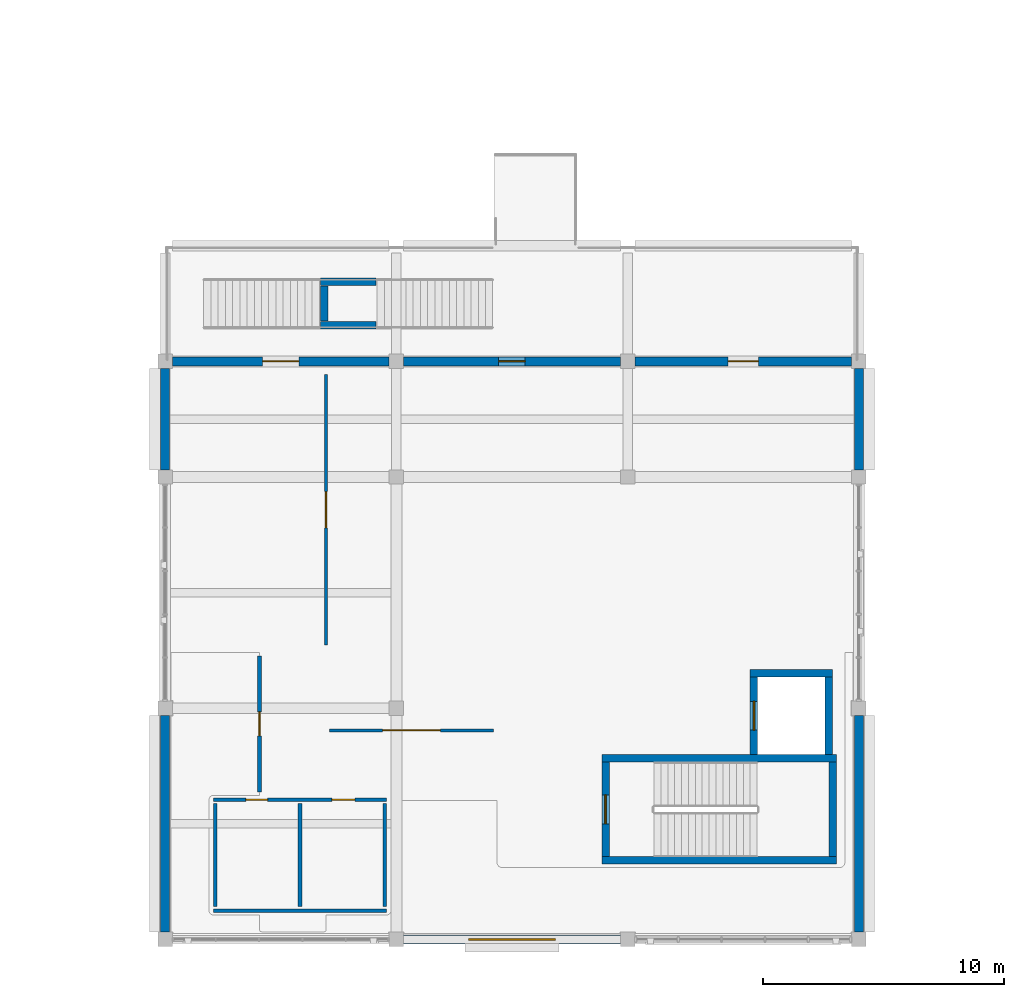
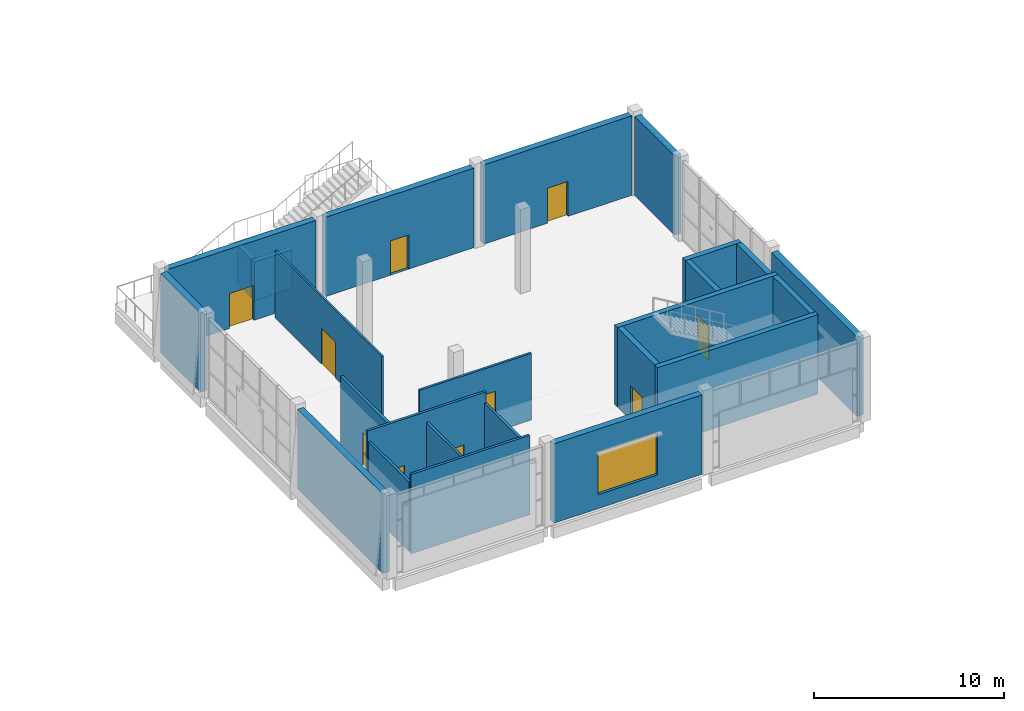
# One storey, part 40 of 57: 26 walls, 10 doors, 1 window, 11 openings.
"""IFC4 building model written with IfcOpenShell, lengths in metres."""

import ifcopenshell
import ifcopenshell.guid

model = None  # the IFC model being written
_history = None  # IfcOwnerHistory: only IFC2X3 demands one
_inside = {}  # id of a spatial element -> (the spatial element, [elements in it])
_under = {}  # id of a project, library or spatial element -> (it, [spatial elements below it])
_declared = {}  # id of a project -> (the project, [libraries it declares])
_typed = {}  # id of a type object -> (the type object, [elements of that type])
_made_of = {}  # id of a material, layer set ... -> (it, [elements and type objects made of it])


def new_model(schema):
    """Start an empty IFC model of exactly this schema.

    Asked for "IFC4X3", IfcOpenShell would pick the latest addendum, in which some entities
    have other attributes; the version numbers below select the first issue.
    IFC2X3 requires an IfcOwnerHistory on every rooted entity: one is made here for all.
    """
    global model, _history
    if schema == "IFC4X3":
        model = ifcopenshell.file(schema_version=(4, 3, 0, 0))
    else:
        model = ifcopenshell.file(schema=schema)
    _inside.clear()
    _under.clear()
    _declared.clear()
    _typed.clear()
    _made_of.clear()
    _history = None
    if model.schema == "IFC2X3":
        org = make("IfcOrganization", Name="unknown")
        user = make(
            "IfcPersonAndOrganization",
            ThePerson=make("IfcPerson", FamilyName="unknown"),
            TheOrganization=org,
        )
        app = make(
            "IfcApplication",
            ApplicationDeveloper=org,
            Version="unknown",
            ApplicationFullName="unknown",
            ApplicationIdentifier="unknown",
        )
        _history = make(
            "IfcOwnerHistory",
            OwningUser=user,
            OwningApplication=app,
            ChangeAction="ADDED",
            CreationDate=0,
        )
    return model


def make(cls, **values):
    """One entity of the class cls with the attributes given. An attribute that is None is left unset."""
    return model.create_entity(
        cls, **{name: value for name, value in values.items() if value is not None}
    )


def rooted(cls, **values):
    """An entity with a GlobalId (a new one), such as an element, a storey or a relation."""
    return make(cls, GlobalId=ifcopenshell.guid.new(), OwnerHistory=_history, **values)


def si_unit(unit_type, name, prefix=None):
    """IfcSIUnit, for example si_unit("LENGTHUNIT", "METRE", prefix="MILLI")."""
    return make("IfcSIUnit", UnitType=unit_type, Prefix=prefix, Name=name)


def assignment(units):
    """IfcUnitAssignment: the units of a project."""
    return None if units is None else make("IfcUnitAssignment", Units=units)


def point(xyz):
    """IfcCartesianPoint."""
    return None if xyz is None else make("IfcCartesianPoint", Coordinates=xyz)


def direction(xyz):
    """IfcDirection."""
    return None if xyz is None else make("IfcDirection", DirectionRatios=xyz)


def frame(location, z_axis=None, x_axis=None):
    """IfcAxis2Placement3D, a coordinate frame: its origin and axes. An axis left out is left unset."""
    return make(
        "IfcAxis2Placement3D",
        Location=point(location),
        Axis=direction(z_axis),
        RefDirection=direction(x_axis),
    )


def frame_2d(location, x_axis=None):
    """IfcAxis2Placement2D, a coordinate frame in the plane: its origin and x axis."""
    return make(
        "IfcAxis2Placement2D", Location=point(location), RefDirection=direction(x_axis)
    )


def origin():
    """The frame at (0, 0, 0) with its axes left unset."""
    return frame((0.0, 0.0, 0.0))


def place(relative_to, where):
    """IfcLocalPlacement: puts the frame where relative to a parent placement (None: the world)."""
    return make(
        "IfcLocalPlacement", PlacementRelTo=relative_to, RelativePlacement=where
    )


def context(
    kind, dimensions, precision=None, world=None, true_north=None, identifier=None
):
    """IfcGeometricRepresentationContext, for example the 3D "Model" context."""
    return make(
        "IfcGeometricRepresentationContext",
        ContextIdentifier=identifier,
        ContextType=kind,
        CoordinateSpaceDimension=dimensions,
        Precision=precision,
        WorldCoordinateSystem=world,
        TrueNorth=true_north,
    )


def subcontext(parent, identifier, kind, view, scale=None):
    """IfcGeometricRepresentationSubContext, for example "Body" below "Model"."""
    return make(
        "IfcGeometricRepresentationSubContext",
        ContextIdentifier=identifier,
        ContextType=kind,
        ParentContext=parent,
        TargetScale=scale,
        TargetView=view,
    )


def project(units=None, contexts=None):
    """IfcProject with its units and contexts."""
    return rooted(
        "IfcProject",
        Name="project",
        RepresentationContexts=contexts,
        UnitsInContext=assignment(units),
    )


def spatial(cls, under=None, at=None, **own):
    """A site, building, storey or space (cls), placed at a placement, below another one or the project."""
    s = rooted(cls, ObjectPlacement=at, **own)
    if under is not None:
        _under.setdefault(under.id(), (under, []))[1].append(s)
    return s


def profile(cls, at=None, kind="AREA", **sizes):
    """A parametric profile (cls). Its sizes go by their IFC names, for example OverallWidth=200.0."""
    return make(cls, ProfileType=kind, Position=at, **sizes)


def rectangle(**sizes):
    """IfcRectangleProfileDef."""
    return profile("IfcRectangleProfileDef", **sizes)


def extrude(swept, where, along, depth):
    """IfcExtrudedAreaSolid: the profile swept, set in the frame where, extruded along a direction by depth."""
    return make(
        "IfcExtrudedAreaSolid",
        SweptArea=swept,
        Position=where,
        ExtrudedDirection=direction(along),
        Depth=depth,
    )


def shape(context_of_items, identifier, shape_type, items):
    """IfcShapeRepresentation: the items that make up one representation, for example the "Body"."""
    return make(
        "IfcShapeRepresentation",
        ContextOfItems=context_of_items,
        RepresentationIdentifier=identifier,
        RepresentationType=shape_type,
        Items=items,
    )


def material(Name=None, Category=None):
    """IfcMaterial."""
    return make("IfcMaterial", Name=Name, Category=Category)


def layer(
    of_material, thickness, ventilated=None, Name=None, Category=None, Priority=None
):
    """IfcMaterialLayer: one layer of a wall or slab, of a material (None: an air gap)."""
    return make(
        "IfcMaterialLayer",
        Material=of_material,
        LayerThickness=thickness,
        IsVentilated=ventilated,
        Name=Name,
        Category=Category,
        Priority=Priority,
    )


def layer_set(layers, Name=None):
    """IfcMaterialLayerSet."""
    return make("IfcMaterialLayerSet", MaterialLayers=layers, LayerSetName=Name)


def made_of(thing, what):
    """Note that an element or type object is made of a material, layer set ...; save() writes the relation."""
    if what is not None:
        _made_of.setdefault(what.id(), (what, []))[1].append(thing)
    return thing


def type_object(cls, material=None, **own):
    """A type object (cls), such as IfcWallType, which elements share."""
    return made_of(rooted(cls, **own), material)


def element(
    cls,
    number,
    at=None,
    inside=None,
    cuts=None,
    type_object=None,
    material=None,
    context=None,
    identifier="Body",
    shape_type=None,
    held_by="IfcProductDefinitionShape",
    body=None,
    shapes=None,
    **own,
):
    """One element of the class cls, such as IfcWall. Its Tag is "e" and its number.

    at: its placement. inside: the storey or other place that contains it. cuts: it is an
    opening in that element (IfcRelVoidsElement). A single representation is given by context,
    identifier, shape_type and body (its items); several are given by shapes. held_by: the class
    of the entity that holds the representations. save() writes the other relations.
    """
    e = rooted(cls, Tag="e%d" % number, ObjectPlacement=at, **own)
    if body is not None:
        shapes = [shape(context, identifier, shape_type, body)]
    if shapes is not None:
        e.Representation = make(held_by, Representations=shapes)
    if inside is not None:
        _inside.setdefault(inside.id(), (inside, []))[1].append(e)
    if cuts is not None:
        rooted(
            "IfcRelVoidsElement", RelatingBuildingElement=cuts, RelatedOpeningElement=e
        )
    if type_object is not None:
        _typed.setdefault(type_object.id(), (type_object, []))[1].append(e)
    return made_of(e, material)


def fill(opening, filler):
    """IfcRelFillsElement: the door or window that sits in an opening."""
    return rooted(
        "IfcRelFillsElement",
        RelatingOpeningElement=opening,
        RelatedBuildingElement=filler,
    )


def aggregate(whole, parts):
    """IfcRelAggregates: a whole, such as a stair, and the parts it consists of."""
    return rooted("IfcRelAggregates", RelatingObject=whole, RelatedObjects=parts)


def save(model, path):
    """Write the relations noted so far, then the file.

    IfcRelAggregates (storeys below a building ...), IfcRelContainedInSpatialStructure (elements
    in a storey), IfcRelDefinesByType, IfcRelAssociatesMaterial and IfcRelDeclares: one each for
    every whole, place, type object, material and project.
    """
    for whole, parts in _under.values():
        aggregate(whole, parts)
    for where, things in _inside.values():
        rooted(
            "IfcRelContainedInSpatialStructure",
            RelatedElements=things,
            RelatingStructure=where,
        )
    for kind, things in _typed.values():
        rooted("IfcRelDefinesByType", RelatedObjects=things, RelatingType=kind)
    for what, things in _made_of.values():
        rooted("IfcRelAssociatesMaterial", RelatedObjects=things, RelatingMaterial=what)
    for by, libraries in _declared.values():
        rooted("IfcRelDeclares", RelatingContext=by, RelatedDefinitions=libraries)
    model.write(path)


model = new_model("IFC4")

# Units and contexts
model_context = context("Model", 3, precision=1e-05, world=origin(), true_north=direction((0.0, 1.0)))
body_context = subcontext(model_context, "Body", "Model", "MODEL_VIEW")
ifc_project = project(units=[si_unit("LENGTHUNIT", "METRE"), si_unit("AREAUNIT", "SQUARE_METRE"), si_unit("VOLUMEUNIT", "CUBIC_METRE"), si_unit("PLANEANGLEUNIT", "RADIAN"), si_unit("MASSUNIT", "GRAM", prefix="KILO")], contexts=[model_context])

# Site, building, storey
site_placement = place(None, origin())
site = spatial("IfcSite", under=ifc_project, at=site_placement, CompositionType="ELEMENT")
building_placement = place(site_placement, origin())
building = spatial("IfcBuilding", under=site, at=building_placement, Name="Shalvenor Court Art Gallery", CompositionType="ELEMENT")
storey_placement = place(building_placement, frame((0.0, 0.0, 16.800048828125)))
storey = spatial("IfcBuildingStorey", under=building, at=storey_placement, Name="L03", CompositionType="ELEMENT", Elevation=16.800048828125)

# Walls
ifc_material_1 = material(Name="Concrete C40/50", Category="concrete")
ifc_layer_1 = layer(ifc_material_1, 0.31005859375, Name="Concrete C40/50")
ifc_layer_set_1 = layer_set([ifc_layer_1], Name="Concrete C40/50")
wall_type_1 = type_object("IfcWallType", Name="CW-W2", PredefinedType="SHEAR", material=ifc_layer_set_1)
wall_1_placement = place(storey_placement, frame((114.1279296875, 7.51708984375, 0.0), z_axis=(0.0, 0.0, 1.0), x_axis=(1.0, 0.0, 0.0)))
element("IfcWall", 1, at=wall_1_placement, inside=storey, type_object=wall_type_1, Name="L03 C4 Stair Core Shear Wall N", PredefinedType="SHEAR", context=body_context, shape_type="SweptSolid", body=[
    extrude(rectangle(XDim=9.744140625, YDim=0.31005859375, at=frame_2d((4.8720703125, 0.0))), origin(), (0.0, 0.0, 1.0), 5.099853515625),
])
wall_2_placement = place(storey_placement, frame((123.717041015625, 7.362060546875, 0.0), z_axis=(0.0, 0.0, 1.0), x_axis=(0.0, -1.0, 0.0)))
element("IfcWall", 2, at=wall_2_placement, inside=storey, type_object=wall_type_1, Name="L03 C4 Stair Core Shear Wall E", PredefinedType="SHEAR", context=body_context, shape_type="SweptSolid", body=[
    extrude(rectangle(XDim=3.924072265625, YDim=0.31005859375, at=frame_2d((1.9619140625, 0.0))), origin(), (0.0, 0.0, 1.0), 5.099853515625),
])
wall_3_placement = place(storey_placement, frame((123.8720703125, 3.282958984375, 0.0), z_axis=(0.0, 0.0, 1.0), x_axis=(-1.0, 0.0, 0.0)))
element("IfcWall", 3, at=wall_3_placement, inside=storey, type_object=wall_type_1, Name="L03 C4 Stair Core Shear Wall S", PredefinedType="SHEAR", context=body_context, shape_type="SweptSolid", body=[
    extrude(rectangle(XDim=9.744140625, YDim=0.31005859375, at=frame_2d((4.8720703125, 0.0))), origin(), (0.0, 0.0, 1.0), 5.099853515625),
])

# Wall, opening, door
wall_4_placement = place(storey_placement, frame((114.282958984375, 3.43798828125, 0.0), z_axis=(0.0, 0.0, 1.0), x_axis=(0.0, 1.0, 0.0)))
wall_4 = element("IfcWall", 4, at=wall_4_placement, inside=storey, type_object=wall_type_1, Name="L03 C4 Stair Core Shear Wall W", PredefinedType="SHEAR", context=body_context, shape_type="SweptSolid", body=[
    extrude(rectangle(XDim=3.924072265625, YDim=0.31005859375, at=frame_2d((1.9619140625, 0.0))), origin(), (0.0, 0.0, 1.0), 5.099853515625),
])
opening_1_placement = place(wall_4_placement, frame((1.362060546875, 0.0, 0.0)))
opening_1 = element("IfcOpeningElement", 5, at=opening_1_placement, cuts=wall_4, Name="Opening FD-01", PredefinedType="OPENING", context=body_context, shape_type="SweptSolid", body=[
    extrude(rectangle(XDim=1.199951171875, YDim=2.199951171875, at=frame_2d((0.60009765625, 1.10009765625))), frame((0.0, 0.1650390625, 0.0), z_axis=(0.0, -1.0, 0.0), x_axis=(1.0, 0.0, 0.0)), (0.0, 0.0, 1.0), 0.330078125),
])
ifc_material_2 = material(Name="Fire-rated steel stair doorset", Category="steel")
door_type_1 = type_object("IfcDoorType", Name="FD-01", OperationType="NOTDEFINED", PredefinedType="DOOR", material=ifc_material_2)
door_1_placement = place(opening_1_placement, origin())
door_1 = element("IfcDoor", 6, at=door_1_placement, inside=storey, type_object=door_type_1, Name="DR-ST-L03-C4 L03 ST-04 Fire Stair Door", OperationType="SINGLE_SWING_RIGHT", OverallHeight=2.199951171875, OverallWidth=1.199951171875, PredefinedType="DOOR", context=body_context, shape_type="SweptSolid", body=[
    extrude(rectangle(XDim=1.199951171875, YDim=2.199951171875, at=frame_2d((0.60009765625, 1.10009765625))), frame((0.0, 0.02490234375, 0.0), z_axis=(0.0, -1.0, 0.0), x_axis=(1.0, 0.0, 0.0)), (0.0, 0.0, 1.0), 0.050048828125),
])
fill(opening_1, door_1)

# Walls
wall_5_placement = place(storey_placement, frame((120.2900390625, 11.054931640625, 0.0), z_axis=(0.0, 0.0, 1.0), x_axis=(1.0, 0.0, 0.0)))
element("IfcWall", 7, at=wall_5_placement, inside=storey, type_object=wall_type_1, Name="L03 PL-02 Lift Shaft Wall N", PredefinedType="SHEAR", context=body_context, shape_type="SweptSolid", body=[
    extrude(rectangle(XDim=3.419921875, YDim=0.31005859375, at=frame_2d((1.7099609375, 0.0))), origin(), (0.0, 0.0, 1.0), 5.099853515625),
])
wall_6_placement = place(storey_placement, frame((123.554931640625, 10.89990234375, 0.0), z_axis=(0.0, 0.0, 1.0), x_axis=(0.0, -1.0, 0.0)))
element("IfcWall", 8, at=wall_6_placement, inside=storey, type_object=wall_type_1, Name="L03 PL-02 Lift Shaft Wall E", PredefinedType="SHEAR", context=body_context, shape_type="SweptSolid", body=[
    extrude(rectangle(XDim=3.227783203125, YDim=0.31005859375, at=frame_2d((1.61376953125, 0.0))), origin(), (0.0, 0.0, 1.0), 5.099853515625),
])

# Wall, opening, door
wall_7_placement = place(storey_placement, frame((120.445068359375, 7.672119140625, 0.0), z_axis=(0.0, 0.0, 1.0), x_axis=(0.0, 1.0, 0.0)))
wall_7 = element("IfcWall", 9, at=wall_7_placement, inside=storey, type_object=wall_type_1, Name="L03 PL-02 Lift Shaft Wall W", PredefinedType="SHEAR", context=body_context, shape_type="SweptSolid", body=[
    extrude(rectangle(XDim=3.227783203125, YDim=0.31005859375, at=frame_2d((1.61376953125, 0.0))), origin(), (0.0, 0.0, 1.0), 5.099853515625),
])
opening_2_placement = place(wall_7_placement, frame((1.013916015625, 0.0, 0.0)))
opening_2 = element("IfcOpeningElement", 10, at=opening_2_placement, cuts=wall_7, Name="Opening LD-02", PredefinedType="OPENING", context=body_context, shape_type="SweptSolid", body=[
    extrude(rectangle(XDim=1.199951171875, YDim=2.199951171875, at=frame_2d((0.60009765625, 1.10009765625))), frame((0.0, 0.1650390625, 0.0), z_axis=(0.0, -1.0, 0.0), x_axis=(1.0, 0.0, 0.0)), (0.0, 0.0, 1.0), 0.330078125),
])
ifc_material_3 = material(Name="Brushed stainless passenger lift sliding landing door", Category="steel")
door_type_2 = type_object("IfcDoorType", Name="LD-02", OperationType="NOTDEFINED", PredefinedType="DOOR", material=ifc_material_3)
door_2_placement = place(opening_2_placement, origin())
door_2 = element("IfcDoor", 11, at=door_2_placement, inside=storey, type_object=door_type_2, Name="DR-LD-L03-PL-02 L03 PL-02 Lift Landing Sliding Door", OperationType="DOUBLE_DOOR_SLIDING", OverallHeight=2.199951171875, OverallWidth=1.199951171875, PredefinedType="DOOR", context=body_context, shape_type="SweptSolid", body=[
    extrude(rectangle(XDim=1.199951171875, YDim=2.199951171875, at=frame_2d((0.60009765625, 1.10009765625))), frame((0.0, 0.02490234375, 0.0), z_axis=(0.0, -1.0, 0.0), x_axis=(1.0, 0.0, 0.0)), (0.0, 0.0, 1.0), 0.050048828125),
])
fill(opening_2, door_2)

# Walls
ifc_material_4 = material(Name="Concrete C40/50", Category="concrete")
ifc_layer_2 = layer(ifc_material_4, 0.31005859375, Name="Concrete C40/50")
ifc_layer_set_2 = layer_set([ifc_layer_2], Name="Concrete C40/50")
wall_type_2 = type_object("IfcWallType", Name="CW-W4", PredefinedType="SHEAR", material=ifc_layer_set_2)
for number, where, z_axis, x_axis, name in (
    (12, (102.449951171875, 25.5, 0.0), (0.0, 0.0, 1.0), (1.0, 0.0, 0.0), "L03 ST-T5 Terrace Stair Support Pier S"),
    (13, (104.75, 27.300048828125, 0.0), (0.0, 0.0, 1.0), (-1.0, 0.0, 0.0), "L03 ST-T5 Terrace Stair Support Pier N"),
):
    element("IfcWall", number, at=place(storey_placement, frame(where, z_axis=z_axis, x_axis=x_axis)), inside=storey, type_object=wall_type_2, Name=name, PredefinedType="SHEAR", context=body_context, shape_type="SweptSolid", body=[
        extrude(rectangle(XDim=2.300048828125, YDim=0.31005859375, at=frame_2d((1.14990234375, 0.0))), origin(), (0.0, 0.0, 1.0), 2.48486328125),
    ])
wall_8_placement = place(storey_placement, frame((102.60009765625, 25.669921875, 0.0), z_axis=(0.0, 0.0, 1.0), x_axis=(0.0, 1.0, 0.0)))
element("IfcWall", 14, at=wall_8_placement, inside=storey, type_object=wall_type_2, Name="L03 ST-T5 Terrace Stair Support Pier W", PredefinedType="SHEAR", context=body_context, shape_type="SweptSolid", body=[
    extrude(rectangle(XDim=1.4599609375, YDim=0.31005859375, at=frame_2d((0.72998046875, 0.0))), origin(), (0.0, 0.0, 1.0), 2.48486328125),
])

# Wall, opening, door
ifc_material_5 = material(Name="Concrete C40/50", Category="concrete")
ifc_layer_3 = layer(ifc_material_5, 0.3798828125, Name="Concrete C40/50")
ifc_layer_set_3 = layer_set([ifc_layer_3], Name="Concrete C40/50")
wall_type_3 = type_object("IfcWallType", Name="EW-03", PredefinedType="SOLIDWALL", material=ifc_layer_set_3)
wall_9_placement = place(storey_placement, frame((96.300048828125, 24.0, 0.0), z_axis=(0.0, 0.0, 1.0), x_axis=(1.0, 0.0, 0.0)))
wall_9 = element("IfcWall", 15, at=wall_9_placement, inside=storey, type_object=wall_type_3, Name="L03 V3 Exterior Wall WL-L03-0207", PredefinedType="SOLIDWALL", context=body_context, shape_type="SweptSolid", body=[
    extrude(rectangle(XDim=9.0, YDim=0.3798828125, at=frame_2d((4.5, 0.0))), origin(), (0.0, 0.0, 1.0), 5.099853515625),
])
opening_3_placement = place(wall_9_placement, frame((3.75, 0.0, 0.0)))
opening_3 = element("IfcOpeningElement", 16, at=opening_3_placement, cuts=wall_9, Name="Opening TD-02", PredefinedType="OPENING", context=body_context, shape_type="SweptSolid", body=[
    extrude(rectangle(XDim=1.5, YDim=2.25, at=frame_2d((0.75, 1.125))), frame((0.0, 0.199951171875, 0.0), z_axis=(0.0, -1.0, 0.0), x_axis=(1.0, 0.0, 0.0)), (0.0, 0.0, 1.0), 0.39990234375),
])
ifc_material_6 = material(Name="Anodised aluminium glazed terrace door", Category="aluminium")
door_type_3 = type_object("IfcDoorType", Name="TD-02", OperationType="NOTDEFINED", PredefinedType="DOOR", material=ifc_material_6)
door_3_placement = place(opening_3_placement, origin())
door_3 = element("IfcDoor", 17, at=door_3_placement, inside=storey, type_object=door_type_3, Name="DR-TR-038 L03 Gallery Terrace Door", OperationType="DOUBLE_DOOR_SINGLE_SWING", OverallHeight=2.25, OverallWidth=1.5, PredefinedType="DOOR", context=body_context, shape_type="SweptSolid", body=[
    extrude(rectangle(XDim=1.5, YDim=2.25, at=frame_2d((0.75, 1.125))), frame((0.0, 0.02490234375, 0.0), z_axis=(0.0, -1.0, 0.0), x_axis=(1.0, 0.0, 0.0)), (0.0, 0.0, 1.0), 0.050048828125),
])
fill(opening_3, door_3)

wall_10_placement = place(storey_placement, frame((105.89990234375, 24.0, 0.0), z_axis=(0.0, 0.0, 1.0), x_axis=(1.0, 0.0, 0.0)))
wall_10 = element("IfcWall", 18, at=wall_10_placement, inside=storey, type_object=wall_type_3, Name="L03 V3 Exterior Wall WL-L03-0208", PredefinedType="SOLIDWALL", context=body_context, shape_type="SweptSolid", body=[
    extrude(rectangle(XDim=9.0, YDim=0.3798828125, at=frame_2d((4.5, 0.0))), origin(), (0.0, 0.0, 1.0), 5.099853515625),
])
opening_4_placement = place(wall_10_placement, frame((3.949951171875, 0.0, 0.0)))
opening_4 = element("IfcOpeningElement", 19, at=opening_4_placement, cuts=wall_10, Name="Opening TD-03", PredefinedType="OPENING", context=body_context, shape_type="SweptSolid", body=[
    extrude(rectangle(XDim=1.10009765625, YDim=2.199951171875, at=frame_2d((0.550048828125, 1.10009765625))), frame((0.0, 0.199951171875, 0.0), z_axis=(0.0, -1.0, 0.0), x_axis=(1.0, 0.0, 0.0)), (0.0, 0.0, 1.0), 0.39990234375),
])
ifc_material_7 = material(Name="Anodised aluminium glazed terrace door", Category="aluminium")
door_type_4 = type_object("IfcDoorType", Name="TD-03", OperationType="NOTDEFINED", PredefinedType="DOOR", material=ifc_material_7)
door_4_placement = place(opening_4_placement, origin())
door_4 = element("IfcDoor", 20, at=door_4_placement, inside=storey, type_object=door_type_4, Name="DR-TR-039 L03 Gallery Terrace Door", OperationType="SINGLE_SWING_LEFT", OverallHeight=2.199951171875, OverallWidth=1.10009765625, PredefinedType="DOOR", context=body_context, shape_type="SweptSolid", body=[
    extrude(rectangle(XDim=1.10009765625, YDim=2.199951171875, at=frame_2d((0.550048828125, 1.10009765625))), frame((0.0, 0.02490234375, 0.0), z_axis=(0.0, -1.0, 0.0), x_axis=(1.0, 0.0, 0.0)), (0.0, 0.0, 1.0), 0.050048828125),
])
fill(opening_4, door_4)

wall_11_placement = place(storey_placement, frame((115.5, 24.0, 0.0), z_axis=(0.0, 0.0, 1.0), x_axis=(1.0, 0.0, 0.0)))
wall_11 = element("IfcWall", 21, at=wall_11_placement, inside=storey, type_object=wall_type_3, Name="L03 V3 Exterior Wall WL-L03-0209", PredefinedType="SOLIDWALL", context=body_context, shape_type="SweptSolid", body=[
    extrude(rectangle(XDim=9.0, YDim=0.3798828125, at=frame_2d((4.5, 0.0))), origin(), (0.0, 0.0, 1.0), 5.099853515625),
])
opening_5_placement = place(wall_11_placement, frame((3.875, 0.0, 0.0)))
opening_5 = element("IfcOpeningElement", 22, at=opening_5_placement, cuts=wall_11, Name="Opening TD-04", PredefinedType="OPENING", context=body_context, shape_type="SweptSolid", body=[
    extrude(rectangle(XDim=1.25, YDim=2.25, at=frame_2d((0.625, 1.125))), frame((0.0, 0.199951171875, 0.0), z_axis=(0.0, -1.0, 0.0), x_axis=(1.0, 0.0, 0.0)), (0.0, 0.0, 1.0), 0.39990234375),
])
ifc_material_8 = material(Name="Anodised aluminium glazed terrace door", Category="aluminium")
door_type_5 = type_object("IfcDoorType", Name="TD-04", OperationType="NOTDEFINED", PredefinedType="DOOR", material=ifc_material_8)
door_5_placement = place(opening_5_placement, origin())
door_5 = element("IfcDoor", 23, at=door_5_placement, inside=storey, type_object=door_type_5, Name="DR-TR-040 L03 Gallery Terrace Door", OperationType="SINGLE_SWING_RIGHT", OverallHeight=2.25, OverallWidth=1.25, PredefinedType="DOOR", context=body_context, shape_type="SweptSolid", body=[
    extrude(rectangle(XDim=1.25, YDim=2.25, at=frame_2d((0.625, 1.125))), frame((0.0, 0.02490234375, 0.0), z_axis=(0.0, -1.0, 0.0), x_axis=(1.0, 0.0, 0.0)), (0.0, 0.0, 1.0), 0.050048828125),
])
fill(opening_5, door_5)

# Walls
wall_12_placement = place(storey_placement, frame((124.800048828125, 23.699951171875, 0.0), z_axis=(0.0, 0.0, 1.0), x_axis=(0.0, -1.0, 0.0)))
element("IfcWall", 24, at=wall_12_placement, inside=storey, type_object=wall_type_3, Name="L03 V3 Exterior Wall WL-L03-0210", PredefinedType="SOLIDWALL", context=body_context, shape_type="SweptSolid", body=[
    extrude(rectangle(XDim=4.199951171875, YDim=0.3798828125, at=frame_2d((2.10009765625, 0.0))), origin(), (0.0, 0.0, 1.0), 5.099853515625),
])
wall_13_placement = place(storey_placement, frame((124.800048828125, 9.300048828125, 0.0), z_axis=(0.0, 0.0, 1.0), x_axis=(0.0, -1.0, 0.0)))
element("IfcWall", 25, at=wall_13_placement, inside=storey, type_object=wall_type_3, Name="L03 V3 Exterior Wall WL-L03-0211", PredefinedType="SOLIDWALL", context=body_context, shape_type="SweptSolid", body=[
    extrude(rectangle(XDim=9.0, YDim=0.3798828125, at=frame_2d((4.5, 0.0))), origin(), (0.0, 0.0, 1.0), 5.099853515625),
])

# Wall, opening, window
wall_14_placement = place(storey_placement, frame((114.89990234375, 0.0, 0.0), z_axis=(0.0, 0.0, 1.0), x_axis=(-1.0, 0.0, 0.0)))
wall_14 = element("IfcWall", 26, at=wall_14_placement, inside=storey, type_object=wall_type_3, Name="L03 V3 Exterior Wall WL-L03-0212", PredefinedType="SOLIDWALL", context=body_context, shape_type="SweptSolid", body=[
    extrude(rectangle(XDim=9.0, YDim=0.3798828125, at=frame_2d((4.5, 0.0))), origin(), (0.0, 0.0, 1.0), 5.099853515625),
])
opening_6_placement = place(wall_14_placement, frame((2.699951171875, 0.0, 0.89990234375)))
opening_6 = element("IfcOpeningElement", 27, at=opening_6_placement, cuts=wall_14, Name="Opening WN-10", PredefinedType="OPENING", context=body_context, shape_type="SweptSolid", body=[
    extrude(rectangle(XDim=3.60009765625, YDim=2.699951171875, at=frame_2d((1.800048828125, 1.35009765625))), frame((0.0, 0.199951171875, 0.0), z_axis=(0.0, -1.0, 0.0), x_axis=(1.0, 0.0, 0.0)), (0.0, 0.0, 1.0), 0.39990234375),
])
ifc_material_9 = material(Name="North-light conservation clear IGU", Category="glass")
window_type = type_object("IfcWindowType", Name="WN-10", PartitioningType="SINGLE_PANEL", PredefinedType="WINDOW", material=ifc_material_9)
window_placement = place(opening_6_placement, origin())
window = element("IfcWindow", 28, at=window_placement, inside=storey, type_object=window_type, Name="L03 Window WIN-L03-0054", OverallHeight=2.699951171875, OverallWidth=3.60009765625, PartitioningType="SINGLE_PANEL", PredefinedType="WINDOW", context=body_context, shape_type="SweptSolid", body=[
    extrude(rectangle(XDim=3.60009765625, YDim=2.699951171875, at=frame_2d((1.800048828125, 1.35009765625))), frame((0.0, 0.030029296875, 0.0), z_axis=(0.0, -1.0, 0.0), x_axis=(1.0, 0.0, 0.0)), (0.0, 0.0, 1.0), 0.06005859375),
])
fill(opening_6, window)

# Walls
wall_15_placement = place(storey_placement, frame((96.0, 0.300048828125, 0.0), z_axis=(0.0, 0.0, 1.0), x_axis=(0.0, 1.0, 0.0)))
element("IfcWall", 29, at=wall_15_placement, inside=storey, type_object=wall_type_3, Name="L03 V3 Exterior Wall WL-L03-0213", PredefinedType="SOLIDWALL", context=body_context, shape_type="SweptSolid", body=[
    extrude(rectangle(XDim=9.0, YDim=0.3798828125, at=frame_2d((4.5, 0.0))), origin(), (0.0, 0.0, 1.0), 5.099853515625),
])
wall_16_placement = place(storey_placement, frame((96.0, 19.5, 0.0), z_axis=(0.0, 0.0, 1.0), x_axis=(0.0, 1.0, 0.0)))
element("IfcWall", 30, at=wall_16_placement, inside=storey, type_object=wall_type_3, Name="L03 V3 Exterior Wall WL-L03-0214", PredefinedType="SOLIDWALL", context=body_context, shape_type="SweptSolid", body=[
    extrude(rectangle(XDim=4.199951171875, YDim=0.3798828125, at=frame_2d((2.10009765625, 0.0))), origin(), (0.0, 0.0, 1.0), 5.099853515625),
])

# Wall, opening, door
ifc_material_10 = material(Name="Double-stud acoustic gallery partition", Category="other")
ifc_layer_4 = layer(ifc_material_10, 0.1650390625, Name="Double-stud acoustic gallery partition")
ifc_layer_set_4 = layer_set([ifc_layer_4], Name="Double-stud acoustic gallery partition")
wall_type_4 = type_object("IfcWallType", Name="PT-02", PredefinedType="PARTITIONING", material=ifc_layer_set_4)
wall_17_placement = place(storey_placement, frame((99.919921875, 11.77001953125, 0.0), z_axis=(0.0, 0.0, 1.0), x_axis=(0.0, -1.0, 0.0)))
wall_17 = element("IfcWall", 31, at=wall_17_placement, inside=storey, type_object=wall_type_4, Name="L03 Sculpture Exhibition Hall Partition 658", PredefinedType="PARTITIONING", context=body_context, shape_type="SweptSolid", body=[
    extrude(rectangle(XDim=5.64013671875, YDim=0.1650390625, at=frame_2d((2.820068359375, 0.0))), origin(), (0.0, 0.0, 1.0), 4.324951171875),
])
opening_7_placement = place(wall_17_placement, frame((2.320068359375, 0.0, 0.0)))
opening_7 = element("IfcOpeningElement", 32, at=opening_7_placement, cuts=wall_17, Name="Opening ID-05", PredefinedType="OPENING", context=body_context, shape_type="SweptSolid", body=[
    extrude(rectangle(XDim=1.0, YDim=2.14990234375, at=frame_2d((0.5, 1.074951171875))), frame((0.0, 0.092529296875, 0.0), z_axis=(0.0, -1.0, 0.0), x_axis=(1.0, 0.0, 0.0)), (0.0, 0.0, 1.0), 0.18505859375),
])
ifc_material_11 = material(Name="Timber office single doorset", Category="wood")
door_type_6 = type_object("IfcDoorType", Name="ID-05", OperationType="NOTDEFINED", PredefinedType="DOOR", material=ifc_material_11)
door_6_placement = place(opening_7_placement, origin())
door_6 = element("IfcDoor", 33, at=door_6_placement, inside=storey, type_object=door_type_6, Name="DR-RM-L03-0189 L03 Sculpture Exhibition Hall Door", OperationType="SINGLE_SWING_LEFT", OverallHeight=2.14990234375, OverallWidth=1.0, PredefinedType="DOOR", context=body_context, shape_type="SweptSolid", body=[
    extrude(rectangle(XDim=1.0, YDim=2.14990234375, at=frame_2d((0.5, 1.074951171875))), frame((0.0, 0.02490234375, 0.0), z_axis=(0.0, -1.0, 0.0), x_axis=(1.0, 0.0, 0.0)), (0.0, 0.0, 1.0), 0.050048828125),
])
fill(opening_7, door_6)

# Wall, openings, doors
ifc_material_12 = material(Name="Moisture-resistant sanitary partition", Category="other")
ifc_layer_5 = layer(ifc_material_12, 0.14990234375, Name="Moisture-resistant sanitary partition")
ifc_layer_set_5 = layer_set([ifc_layer_5], Name="Moisture-resistant sanitary partition")
wall_type_5 = type_object("IfcWallType", Name="PT-03", PredefinedType="PARTITIONING", material=ifc_layer_set_5)
wall_18_placement = place(storey_placement, frame((98.0, 5.800048828125, 0.0), z_axis=(0.0, 0.0, 1.0), x_axis=(1.0, 0.0, 0.0)))
wall_18 = element("IfcWall", 34, at=wall_18_placement, inside=storey, type_object=wall_type_5, Name="L03 C4 Restroom Front Partition", PredefinedType="PARTITIONING", context=body_context, shape_type="SweptSolid", body=[
    extrude(rectangle(XDim=7.199951171875, YDim=0.14990234375, at=frame_2d((3.60009765625, 0.0))), origin(), (0.0, 0.0, 1.0), 5.099853515625),
])
opening_8_placement = place(wall_18_placement, frame((1.35009765625, 0.0, 0.0)))
opening_8 = element("IfcOpeningElement", 35, at=opening_8_placement, cuts=wall_18, Name="Opening ID-07", PredefinedType="OPENING", context=body_context, shape_type="SweptSolid", body=[
    extrude(rectangle(XDim=0.89990234375, YDim=2.10009765625, at=frame_2d((0.449951171875, 1.050048828125))), frame((0.0, 0.0849609375, 0.0), z_axis=(0.0, -1.0, 0.0), x_axis=(1.0, 0.0, 0.0)), (0.0, 0.0, 1.0), 0.169921875),
])
opening_9_placement = place(wall_18_placement, frame((4.925048828125, 0.0, 0.0)))
opening_9 = element("IfcOpeningElement", 36, at=opening_9_placement, cuts=wall_18, Name="Opening ID-06", PredefinedType="OPENING", context=body_context, shape_type="SweptSolid", body=[
    extrude(rectangle(XDim=0.949951171875, YDim=2.14990234375, at=frame_2d((0.47509765625, 1.074951171875))), frame((0.0, 0.0849609375, 0.0), z_axis=(0.0, -1.0, 0.0), x_axis=(1.0, 0.0, 0.0)), (0.0, 0.0, 1.0), 0.169921875),
])
ifc_material_13 = material(Name="Accessible restroom doorset", Category="steel")
door_type_7 = type_object("IfcDoorType", Name="ID-06", OperationType="NOTDEFINED", PredefinedType="DOOR", material=ifc_material_13)
door_7_placement = place(opening_9_placement, origin())
door_7 = element("IfcDoor", 37, at=door_7_placement, inside=storey, type_object=door_type_7, Name="DR-AWC-L03-C4-2 L03 C4 Accessible Restroom Door", OperationType="SINGLE_SWING_RIGHT", OverallHeight=2.14990234375, OverallWidth=0.949951171875, PredefinedType="DOOR", context=body_context, shape_type="SweptSolid", body=[
    extrude(rectangle(XDim=0.949951171875, YDim=2.14990234375, at=frame_2d((0.47509765625, 1.074951171875))), frame((0.0, 0.02490234375, 0.0), z_axis=(0.0, -1.0, 0.0), x_axis=(1.0, 0.0, 0.0)), (0.0, 0.0, 1.0), 0.050048828125),
])
fill(opening_9, door_7)
ifc_material_14 = material(Name="Restroom timber doorset", Category="wood")
door_type_8 = type_object("IfcDoorType", Name="ID-07", OperationType="NOTDEFINED", PredefinedType="DOOR", material=ifc_material_14)
door_8_placement = place(opening_8_placement, origin())
door_8 = element("IfcDoor", 38, at=door_8_placement, inside=storey, type_object=door_type_8, Name="DR-WC-L03-C4-1 L03 C4 Public Restroom Door", OperationType="SINGLE_SWING_LEFT", OverallHeight=2.10009765625, OverallWidth=0.89990234375, PredefinedType="DOOR", context=body_context, shape_type="SweptSolid", body=[
    extrude(rectangle(XDim=0.89990234375, YDim=2.10009765625, at=frame_2d((0.449951171875, 1.050048828125))), frame((0.0, 0.02490234375, 0.0), z_axis=(0.0, -1.0, 0.0), x_axis=(1.0, 0.0, 0.0)), (0.0, 0.0, 1.0), 0.050048828125),
])
fill(opening_8, door_8)

# Walls
wall_19_placement = place(storey_placement, frame((98.0, 1.199951171875, 0.0), z_axis=(0.0, 0.0, 1.0), x_axis=(1.0, 0.0, 0.0)))
element("IfcWall", 39, at=wall_19_placement, inside=storey, type_object=wall_type_5, Name="L03 C4 Restroom Back Partition", PredefinedType="PARTITIONING", context=body_context, shape_type="SweptSolid", body=[
    extrude(rectangle(XDim=7.199951171875, YDim=0.14990234375, at=frame_2d((3.60009765625, 0.0))), origin(), (0.0, 0.0, 1.0), 5.099853515625),
])
for number, where, z_axis, x_axis, name in (
    (40, (98.074951171875, 1.360107421875, 0.0), (0.0, 0.0, 1.0), (0.0, 1.0, 0.0), "L03 C4 Restroom Partition L"),
    (41, (101.60009765625, 1.360107421875, 0.0), (0.0, 0.0, 1.0), (0.0, 1.0, 0.0), "L03 C4 Restroom Partition M"),
    (42, (105.125, 1.360107421875, 0.0), (0.0, 0.0, 1.0), (0.0, 1.0, 0.0), "L03 C4 Restroom Partition R"),
):
    element("IfcWall", number, at=place(storey_placement, frame(where, z_axis=z_axis, x_axis=x_axis)), inside=storey, type_object=wall_type_5, Name=name, PredefinedType="PARTITIONING", context=body_context, shape_type="SweptSolid", body=[
        extrude(rectangle(XDim=4.27978515625, YDim=0.14990234375, at=frame_2d((2.139892578125, 0.0))), origin(), (0.0, 0.0, 1.0), 4.474853515625),
    ])

# Wall, opening, door
ifc_material_15 = material(Name="Insulated studio acoustic partition", Category="other")
ifc_layer_6 = layer(ifc_material_15, 0.135009765625, Name="Insulated studio acoustic partition")
ifc_layer_set_6 = layer_set([ifc_layer_6], Name="Insulated studio acoustic partition")
wall_type_6 = type_object("IfcWallType", Name="PT-04", PredefinedType="PARTITIONING", material=ifc_layer_set_6)
wall_20_placement = place(storey_placement, frame((109.6298828125, 8.679931640625, 0.0), z_axis=(0.0, 0.0, 1.0), x_axis=(-1.0, 0.0, 0.0)))
wall_20 = element("IfcWall", 43, at=wall_20_placement, inside=storey, type_object=wall_type_6, Name="L03 Sculpture Exhibition Hall Wing B Partition 659", PredefinedType="PARTITIONING", context=body_context, shape_type="SweptSolid", body=[
    extrude(rectangle(XDim=6.7998046875, YDim=0.135009765625, at=frame_2d((3.39990234375, 0.0))), origin(), (0.0, 0.0, 1.0), 4.27490234375),
])
opening_10_placement = place(wall_20_placement, frame((2.199951171875, 0.0, 0.0)))
opening_10 = element("IfcOpeningElement", 44, at=opening_10_placement, cuts=wall_20, Name="Opening ID-08", PredefinedType="OPENING", context=body_context, shape_type="SweptSolid", body=[
    extrude(rectangle(XDim=2.39990234375, YDim=2.60009765625, at=frame_2d((1.199951171875, 1.300048828125))), frame((0.0, 0.077392578125, 0.0), z_axis=(0.0, -1.0, 0.0), x_axis=(1.0, 0.0, 0.0)), (0.0, 0.0, 1.0), 0.155029296875),
])
ifc_material_16 = material(Name="Oversized crate gallery portal double doorset", Category="steel")
door_type_9 = type_object("IfcDoorType", Name="ID-08", OperationType="NOTDEFINED", PredefinedType="DOOR", material=ifc_material_16)
door_9_placement = place(opening_10_placement, origin())
door_9 = element("IfcDoor", 45, at=door_9_placement, inside=storey, type_object=door_type_9, Name="DR-RM-L03-0190 L03 Sculpture Exhibition Hall Wing B Door", OperationType="DOUBLE_DOOR_SINGLE_SWING", OverallHeight=2.60009765625, OverallWidth=2.39990234375, PredefinedType="DOOR", context=body_context, shape_type="SweptSolid", body=[
    extrude(rectangle(XDim=2.39990234375, YDim=2.60009765625, at=frame_2d((1.199951171875, 1.300048828125))), frame((0.0, 0.02490234375, 0.0), z_axis=(0.0, -1.0, 0.0), x_axis=(1.0, 0.0, 0.0)), (0.0, 0.0, 1.0), 0.050048828125),
])
fill(opening_10, door_9)

ifc_material_17 = material(Name="Lightweight office gypsum partition", Category="other")
ifc_layer_7 = layer(ifc_material_17, 0.1201171875, Name="Lightweight office gypsum partition")
ifc_layer_set_7 = layer_set([ifc_layer_7], Name="Lightweight office gypsum partition")
wall_type_7 = type_object("IfcWallType", Name="PT-05", PredefinedType="PARTITIONING", material=ifc_layer_set_7)
wall_21_placement = place(storey_placement, frame((102.679931640625, 12.22998046875, 0.0), z_axis=(0.0, 0.0, 1.0), x_axis=(0.0, 1.0, 0.0)))
wall_21 = element("IfcWall", 46, at=wall_21_placement, inside=storey, type_object=wall_type_7, Name="L03 Works On Paper Gallery Partition 660", PredefinedType="PARTITIONING", context=body_context, shape_type="SweptSolid", body=[
    extrude(rectangle(XDim=11.219970703125, YDim=0.1201171875, at=frame_2d((5.60986328125, 0.0))), origin(), (0.0, 0.0, 1.0), 4.324951171875),
])
opening_11_placement = place(wall_21_placement, frame((4.860107421875, 0.0, 0.0)))
opening_11 = element("IfcOpeningElement", 47, at=opening_11_placement, cuts=wall_21, Name="Opening ID-09", PredefinedType="OPENING", context=body_context, shape_type="SweptSolid", body=[
    extrude(rectangle(XDim=1.5, YDim=2.300048828125, at=frame_2d((0.75, 1.14990234375))), frame((0.0, 0.070068359375, 0.0), z_axis=(0.0, -1.0, 0.0), x_axis=(1.0, 0.0, 0.0)), (0.0, 0.0, 1.0), 0.14013671875),
])
ifc_material_18 = material(Name="Oak-veneered seminar double doorset", Category="wood")
door_type_10 = type_object("IfcDoorType", Name="ID-09", OperationType="NOTDEFINED", PredefinedType="DOOR", material=ifc_material_18)
door_10_placement = place(opening_11_placement, origin())
door_10 = element("IfcDoor", 48, at=door_10_placement, inside=storey, type_object=door_type_10, Name="DR-RM-L03-0191 L03 Works On Paper Gallery Door", OperationType="DOUBLE_DOOR_SINGLE_SWING", OverallHeight=2.300048828125, OverallWidth=1.5, PredefinedType="DOOR", context=body_context, shape_type="SweptSolid", body=[
    extrude(rectangle(XDim=1.5, YDim=2.300048828125, at=frame_2d((0.75, 1.14990234375))), frame((0.0, 0.02490234375, 0.0), z_axis=(0.0, -1.0, 0.0), x_axis=(1.0, 0.0, 0.0)), (0.0, 0.0, 1.0), 0.050048828125),
])
fill(opening_11, door_10)

save(model, "model.ifc")
